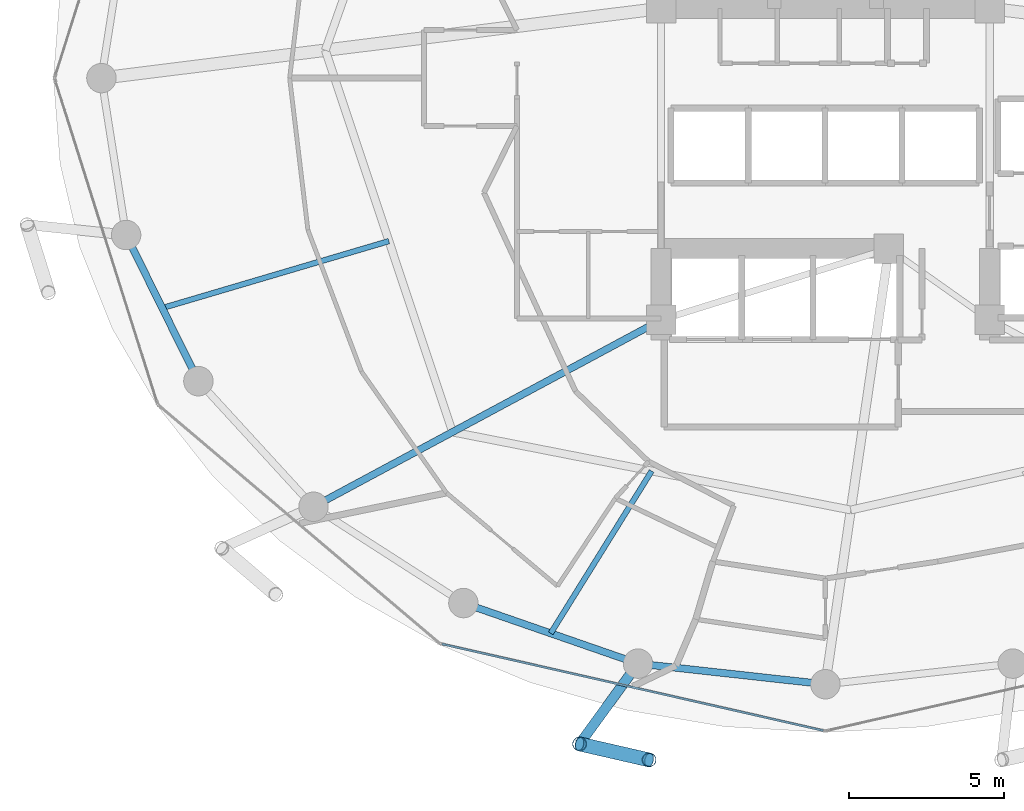
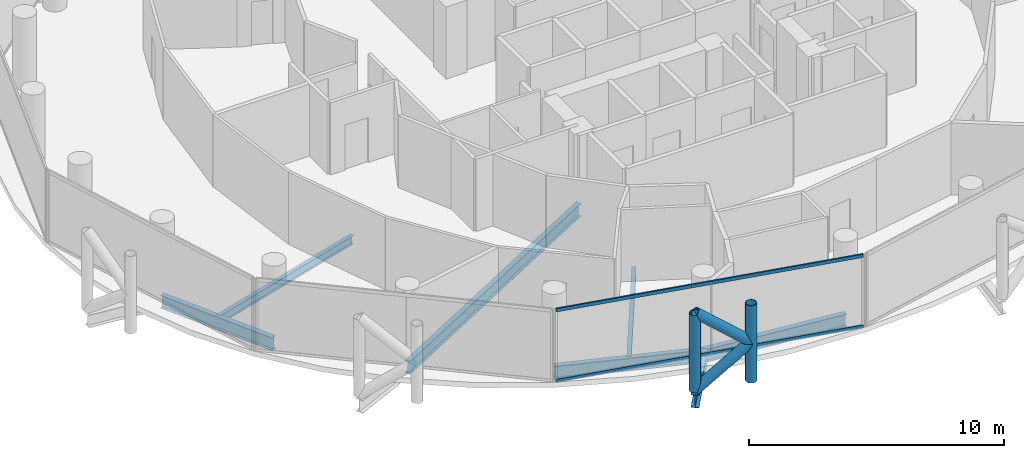
# One storey, part 3 of 26: 7 beams, 6 members, 1 element without a shape of its own.
"""IFC4 building model written with IfcOpenShell, lengths in metres."""

from ifc_helpers import new_model, si_unit, direction, frame, origin, origin_2d, place, context, subcontext, project, spatial, hollow_rectangle, hollow_circle, i_section, extrude, material, layer, layer_set, material_profile, profile_set, type_object, element, aggregate, save


model = new_model("IFC4")

# Units and contexts
model_context = context("Model", 3, precision=1e-05, world=origin(), true_north=direction((0.0, 1.0)))
body_context = subcontext(model_context, "Body", "Model", "MODEL_VIEW")
ifc_project = project(units=[si_unit("LENGTHUNIT", "METRE"), si_unit("AREAUNIT", "SQUARE_METRE"), si_unit("VOLUMEUNIT", "CUBIC_METRE"), si_unit("PLANEANGLEUNIT", "RADIAN"), si_unit("MASSUNIT", "GRAM", prefix="KILO")], contexts=[model_context])

# Site, building, storey
site_placement = place(None, origin())
site = spatial("IfcSite", under=ifc_project, at=site_placement, CompositionType="ELEMENT")
building_placement = place(site_placement, origin())
building = spatial("IfcBuilding", under=site, at=building_placement, Name="Nuhasar Tower", CompositionType="ELEMENT")
storey_placement = place(building_placement, frame((0.0, 0.0, 166.35009765625)))
storey = spatial("IfcBuildingStorey", under=building, at=storey_placement, Name="L40", CompositionType="ELEMENT", Elevation=166.35009765625)

# Beams
ifc_material_1 = material(Name="Steel S355", Category="steel")
ifc_material_profile_1 = material_profile(ifc_material_1, i_section(OverallWidth=0.177978515625, OverallDepth=0.406005859375, WebThickness=0.0078125, FlangeThickness=0.0126953125, at=origin_2d()), Name="W16X40")
ifc_profile_set_1 = profile_set([ifc_material_profile_1], Name="Steel S355")
beam_type_1 = type_object("IfcBeamType", Name="BM-JST-W16X40", PredefinedType="JOIST", material=ifc_profile_set_1)
beam_1_placement = place(storey_placement, frame((33.39697265625, 14.1279296875, -0.453125), z_axis=(-0.528139463011, -0.849157645912, 0.0), x_axis=(0.849157645912, -0.528139463011, 0.0)))
element("IfcBeam", 1, at=beam_1_placement, inside=storey, type_object=beam_type_1, Name="L40 Secondary Floor Joist 01", PredefinedType="JOIST", context=body_context, shape_type="SweptSolid", body=[
    extrude(i_section(OverallWidth=0.177978515625, OverallDepth=0.406005859375, WebThickness=0.0078125, FlangeThickness=0.0126953125, at=origin_2d()), origin(), (0.0, 0.0, 1.0), 6.164794921875),
])
beam_2_placement = place(storey_placement, frame((24.922119140625, 21.54296875, -0.453125), z_axis=(-0.959013356257, -0.283360869775, 0.0), x_axis=(0.283360869775, -0.959013356257, 0.0)))
element("IfcBeam", 2, at=beam_2_placement, inside=storey, type_object=beam_type_1, Name="L40 Secondary Floor Joist 08", PredefinedType="JOIST", context=body_context, shape_type="SweptSolid", body=[
    extrude(i_section(OverallWidth=0.177978515625, OverallDepth=0.406005859375, WebThickness=0.0078125, FlangeThickness=0.0126953125, at=origin_2d()), origin(), (0.0, 0.0, 1.0), 7.62255859375),
])
ifc_material_profile_2 = material_profile(ifc_material_1, i_section(OverallWidth=0.22900390625, OverallDepth=0.612060546875, WebThickness=0.011962890625, FlangeThickness=0.01953125, at=origin_2d()), Name="W24X84")
ifc_profile_set_2 = profile_set([ifc_material_profile_2], Name="Steel S355")
beam_type_2 = type_object("IfcBeamType", Name="BM-RAD-W24X84", PredefinedType="BEAM", material=ifc_profile_set_2)
beam_3_placement = place(storey_placement, frame((33.699951171875, 19.0, -0.55615234375), z_axis=(-0.880888386928, -0.473324043098, 0.0), x_axis=(0.473324043098, -0.880888386928, 0.0)))
element("IfcBeam", 3, at=beam_3_placement, inside=storey, type_object=beam_type_2, Name="L40 Radial Floor Girder 01", PredefinedType="BEAM", context=body_context, shape_type="SweptSolid", body=[
    extrude(i_section(OverallWidth=0.22900390625, OverallDepth=0.612060546875, WebThickness=0.011962890625, FlangeThickness=0.01953125, at=origin_2d()), origin(), (0.0, 0.0, 1.0), 12.726806640625),
])
ifc_material_profile_3 = material_profile(ifc_material_1, i_section(OverallWidth=0.22998046875, OverallDepth=0.616943359375, WebThickness=0.01318359375, FlangeThickness=0.022216796875, at=origin_2d()), Name="W24X94")
ifc_profile_set_3 = profile_set([ifc_material_profile_3], Name="Steel S355")
beam_type_3 = type_object("IfcBeamType", Name="BM-RING-W24X94", PredefinedType="SPANDREL", material=ifc_profile_set_3)
beam_4_placement = place(storey_placement, frame((16.446044921875, 21.739990234375, -0.55908203125), z_axis=(0.443329327657, -0.896358804966, 0.0), x_axis=(0.896358804966, 0.443329327657, 0.0)))
element("IfcBeam", 4, at=beam_4_placement, inside=storey, type_object=beam_type_3, Name="L40 Perimeter Ring Spandrel 14", PredefinedType="SPANDREL", context=body_context, shape_type="SweptSolid", body=[
    extrude(i_section(OverallWidth=0.22998046875, OverallDepth=0.616943359375, WebThickness=0.01318359375, FlangeThickness=0.022216796875, at=origin_2d()), origin(), (0.0, 0.0, 1.0), 5.26025390625),
])
beam_5_placement = place(storey_placement, frame((27.324951171875, 9.868896484375, -0.55908203125), z_axis=(0.944814057608, -0.327607076458, 0.0), x_axis=(0.327607076458, 0.944814057608, 0.0)))
element("IfcBeam", 5, at=beam_5_placement, inside=storey, type_object=beam_type_3, Name="L40 Perimeter Ring Spandrel 17", PredefinedType="SPANDREL", context=body_context, shape_type="SweptSolid", body=[
    extrude(i_section(OverallWidth=0.22998046875, OverallDepth=0.616943359375, WebThickness=0.01318359375, FlangeThickness=0.022216796875, at=origin_2d()), origin(), (0.0, 0.0, 1.0), 5.9609375),
])
beam_6_placement = place(storey_placement, frame((32.95703125, 7.916015625, -0.55908203125), z_axis=(0.993981289157, -0.109549974015, 0.0), x_axis=(0.109549974015, 0.993981289157, 0.0)))
element("IfcBeam", 6, at=beam_6_placement, inside=storey, type_object=beam_type_3, Name="L40 Perimeter Ring Spandrel 18", PredefinedType="SPANDREL", context=body_context, shape_type="SweptSolid", body=[
    extrude(i_section(OverallWidth=0.22998046875, OverallDepth=0.616943359375, WebThickness=0.01318359375, FlangeThickness=0.022216796875, at=origin_2d()), origin(), (0.0, 0.0, 1.0), 6.07958984375),
])
ifc_material_profile_4 = material_profile(ifc_material_1, i_section(OverallWidth=0.323974609375, OverallDepth=0.611083984375, WebThickness=0.0126953125, FlangeThickness=0.01904296875, at=origin_2d()), Name="W24X104")
ifc_profile_set_4 = profile_set([ifc_material_profile_4], Name="Steel S355")
beam_type_4 = type_object("IfcBeamType", Name="BM-TIE-W24X104", PredefinedType="BEAM", material=ifc_profile_set_4)
beam_7_placement = place(storey_placement, frame((32.95703125, 7.916015625, -0.55615234375), z_axis=(-0.588149050751, -0.808752554309, 0.0), x_axis=(0.808752554309, -0.588149050751, 0.0)))
element("IfcBeam", 7, at=beam_7_placement, inside=storey, type_object=beam_type_4, Name="L40 Exoskeleton Node Tie Beam 09", PredefinedType="BEAM", context=body_context, shape_type="SweptSolid", body=[
    extrude(i_section(OverallWidth=0.323974609375, OverallDepth=0.611083984375, WebThickness=0.0126953125, FlangeThickness=0.01904296875, at=origin_2d()), origin(), (0.0, 0.0, 1.0), 3.205078125),
])

# Curtain wall, members
ifc_material_2 = material(Name="Aluminium 6063-T6", Category="aluminium")
ifc_layer = layer(ifc_material_2, 0.199951171875)
ifc_layer_set = layer_set([ifc_layer], Name="Aluminium 6063-T6")
curtain_wall_type = type_object("IfcCurtainWallType", Name="CW-Z2-HTL", PredefinedType="NOTDEFINED", material=ifc_layer_set)
curtain_wall_placement = place(storey_placement, origin())
curtain_wall = element("IfcCurtainWall", 8, at=curtain_wall_placement, inside=storey, type_object=curtain_wall_type, Name="L40 Unitised Curtain Wall 09", PredefinedType="NOTDEFINED")
ifc_material_profile_5 = material_profile(ifc_material_2, hollow_rectangle(XDim=0.070068359375, YDim=0.159912109375, WallThickness=0.00439453125, at=origin_2d()), Name="CWT-3")
ifc_profile_set_5 = profile_set([ifc_material_profile_5], Name="Aluminium 6063-T6")
member_type_1 = type_object("IfcMemberType", Name="CW-TRN-S3", PredefinedType="USERDEFINED", material=ifc_profile_set_5)
member_1_placement = place(storey_placement, frame((26.63818359375, 8.54638671875, 0.034912109375), z_axis=(0.975187615691, -0.221380022142, 0.0), x_axis=(0.221380022142, 0.975187615691, 0.0)))
member_1 = element("IfcMember", 9, at=member_1_placement, type_object=member_type_1, Name="CW-Z2 transom 1.1", ObjectType="TRANSOM", PredefinedType="USERDEFINED", context=body_context, shape_type="SweptSolid", body=[
    extrude(hollow_rectangle(XDim=0.070068359375, YDim=0.159912109375, WallThickness=0.00439453125, at=origin_2d()), origin(), (0.0, 0.0, 1.0), 12.606201171875),
])
member_2_placement = place(storey_placement, frame((26.63818359375, 8.54638671875, 3.414794921875), z_axis=(0.975187615691, -0.221380022142, 0.0), x_axis=(0.221380022142, 0.975187615691, 0.0)))
member_2 = element("IfcMember", 10, at=member_2_placement, type_object=member_type_1, Name="CW-Z2 transom 1.2", ObjectType="TRANSOM", PredefinedType="USERDEFINED", context=body_context, shape_type="SweptSolid", body=[
    extrude(hollow_rectangle(XDim=0.070068359375, YDim=0.159912109375, WallThickness=0.00439453125, at=origin_2d()), origin(), (0.0, 0.0, 1.0), 12.606201171875),
])
aggregate(curtain_wall, [member_1, member_2])

# Members
ifc_material_3 = material(Name="Steel S460", Category="steel")
ifc_material_profile_6 = material_profile(ifc_material_3, hollow_circle(Radius=0.228515625, WallThickness=0.022216796875, at=origin_2d()), Name="HSS457X22.2")
ifc_profile_set_6 = profile_set([ifc_material_profile_6], Name="Steel S460")
member_type_2 = type_object("IfcMemberType", Name="EXO-BRONZE-457", PredefinedType="BRACE", material=ifc_profile_set_6)
for number, where, z_axis, x_axis, name in (
    (11, (31.072021484375, 5.323974609375, 0.0), (0.0, 0.0, 1.0), (1.0, 0.0, 0.0), "L40 Exoskeleton Chord Column EC-09A"),
    (12, (33.31396484375, 4.81005859375, 0.0), (0.0, 0.0, 1.0), (1.0, 0.0, 0.0), "L40 Exoskeleton Chord Column EC-09B"),
):
    element("IfcMember", number, at=place(storey_placement, frame(where, z_axis=z_axis, x_axis=x_axis)), inside=storey, type_object=member_type_2, Name=name, PredefinedType="BRACE", context=body_context, shape_type="SweptSolid", body=[
        extrude(hollow_circle(Radius=0.228515625, WallThickness=0.022216796875, at=origin_2d()), origin(), (0.0, 0.0, 1.0), 3.699951171875),
    ])
member_3_placement = place(storey_placement, frame((31.072021484375, 5.323974609375, 0.0), z_axis=(0.759549860492, -0.174110035537, 0.626713415327), x_axis=(0.223432882746, 0.974719316987, 0.0)))
element("IfcMember", 13, at=member_3_placement, inside=storey, type_object=member_type_2, Name="L40 Bronze Diagrid Brace W1-09", PredefinedType="BRACE", context=body_context, shape_type="SweptSolid", body=[
    extrude(hollow_circle(Radius=0.228515625, WallThickness=0.022216796875, at=origin_2d()), origin(), (0.0, 0.0, 1.0), 2.95166015625),
])
member_4_placement = place(storey_placement, frame((33.31396484375, 4.81005859375, 1.849853515625), z_axis=(-0.759510488094, 0.174101010284, 0.626763637022), x_axis=(-0.223432882746, -0.974719316987, 0.0)))
element("IfcMember", 14, at=member_4_placement, inside=storey, type_object=member_type_2, Name="L40 Bronze Diagrid Brace W2-09", PredefinedType="BRACE", context=body_context, shape_type="SweptSolid", body=[
    extrude(hollow_circle(Radius=0.228515625, WallThickness=0.022216796875, at=origin_2d()), origin(), (0.0, 0.0, 1.0), 2.951904296875),
])

save(model, "model.ifc")
